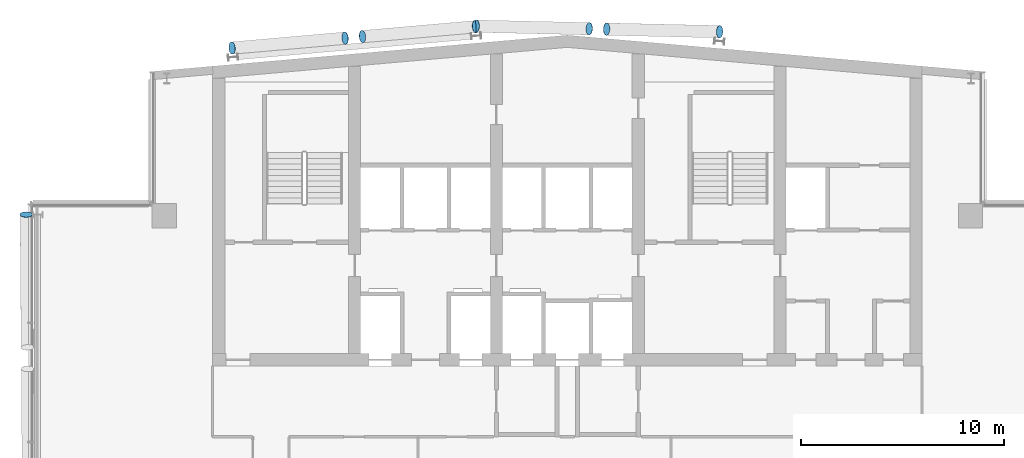
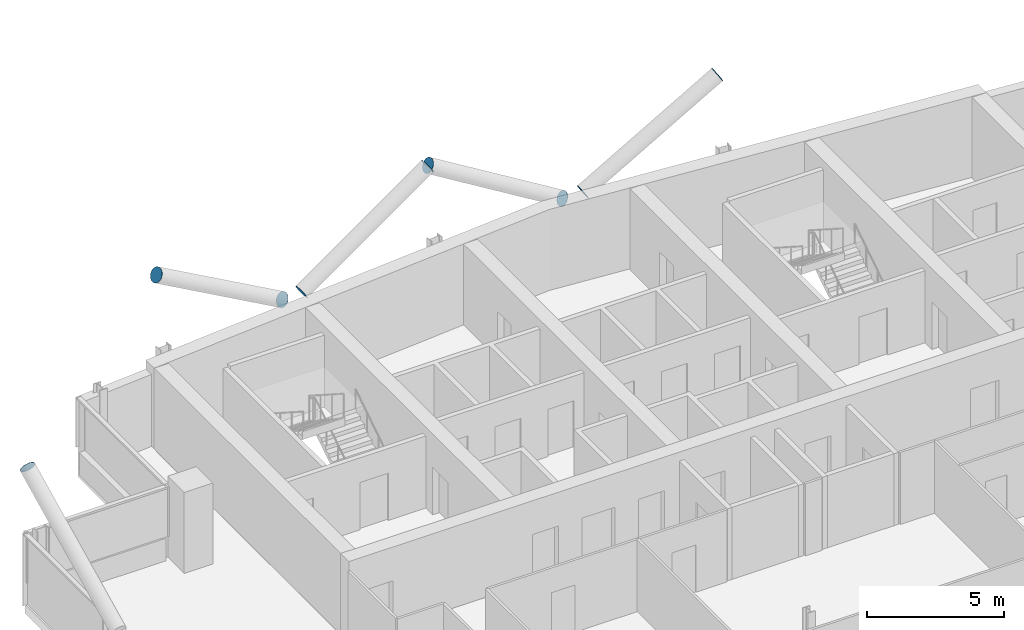
# One storey, part 23 of 27: 9 discrete accessories.
"""IFC4 building model written with IfcOpenShell, lengths in metres."""

from ifc_helpers import new_model, si_unit, direction, frame, origin, origin_2d, place, context, subcontext, project, spatial, circle, extrude, material, material_profile, profile_set, type_object, element, save


model = new_model("IFC4")

# Units and contexts
model_context = context("Model", 3, precision=1e-05, world=origin(), true_north=direction((0.0, 1.0)))
body_context = subcontext(model_context, "Body", "Model", "MODEL_VIEW")
ifc_project = project(units=[si_unit("LENGTHUNIT", "METRE"), si_unit("AREAUNIT", "SQUARE_METRE"), si_unit("VOLUMEUNIT", "CUBIC_METRE"), si_unit("PLANEANGLEUNIT", "RADIAN"), si_unit("MASSUNIT", "GRAM", prefix="KILO")], contexts=[model_context])

# Site, building, storey
site_placement = place(None, origin())
site = spatial("IfcSite", under=ifc_project, at=site_placement, CompositionType="ELEMENT")
building_placement = place(site_placement, origin())
building = spatial("IfcBuilding", under=site, at=building_placement, Name="Wharfspan Tower", CompositionType="ELEMENT")
storey_placement = place(building_placement, frame((0.0, 0.0, 243.100098)))
storey = spatial("IfcBuildingStorey", under=building, at=storey_placement, Name="L61", CompositionType="ELEMENT", Elevation=243.100098)

# Discrete accessories
ifc_material = material(Name="Steel S460NH", Category="steel")
ifc_material_profile = material_profile(ifc_material, circle(Radius=0.304932, at=origin_2d()))
ifc_profile_set = profile_set([ifc_material_profile], Name="Steel S460NH")
discrete_accessory_type = type_object("IfcDiscreteAccessoryType", Name="End plate CHS 610x25", PredefinedType="BRACKET", material=ifc_profile_set)
discrete_accessory_placement = place(storey_placement, frame((13.792969, 41.459717, 6.5), z_axis=(0.0, 0.894427, 0.447214), x_axis=(-1.0, 0.0, 0.0)))
element("IfcDiscreteAccessory", 1, at=discrete_accessory_placement, inside=storey, type_object=discrete_accessory_type, Name="End plate CHS 610x25", PredefinedType="BRACKET", context=body_context, shape_type="SweptSolid", body=[
    extrude(circle(Radius=0.304932, at=origin_2d()), origin(), (0.0, 0.0, 1.0), 0.009766),
])
for number, where, z_axis, x_axis, name in (
    (2, (30.38501, 50.247314, 3.154541), (0.855186, 0.073302, 0.513112), (-0.085402, 0.996345, 1e-06), "End plate CHS 610x25"),
    (3, (35.960693, 50.735107, 6.5), (0.855186, 0.073302, 0.513112), (-0.085402, 0.996345, 1e-06), "End plate CHS 610x25"),
    (4, (29.536133, 50.172852, 3.154541), (-0.855186, -0.073302, 0.513112), (0.085402, -0.996345, 1e-06), "End plate CHS 610x25"),
    (5, (23.960693, 49.685059, 6.5), (-0.855186, -0.073302, 0.513112), (0.085402, -0.996345, 1e-06), "End plate CHS 610x25"),
    (6, (42.434326, 50.616943, 3.154297), (0.857236, -0.024492, 0.514341), (0.028558, 0.999591, 2e-06), "End plate CHS 610x25"),
    (7, (48.010254, 50.490234, 6.5), (0.857236, -0.024492, 0.514341), (0.028558, 0.999591, 2e-06), "End plate CHS 610x25"),
    (8, (41.586426, 50.63623, 3.154297), (-0.857236, 0.024492, 0.514341), (-0.028558, -0.999591, 2e-06), "End plate CHS 610x25"),
    (9, (36.010498, 50.762939, 6.5), (-0.857236, 0.024492, 0.514341), (-0.028558, -0.999591, 2e-06), "End plate CHS 610x25"),
):
    element("IfcDiscreteAccessory", number, at=place(storey_placement, frame(where, z_axis=z_axis, x_axis=x_axis)), inside=storey, type_object=discrete_accessory_type, Name=name, PredefinedType="BRACKET", context=body_context, shape_type="SweptSolid", body=[
        extrude(circle(Radius=0.304932, at=origin_2d()), origin(), (0.0, 0.0, 1.0), 0.01001),
    ])

save(model, "model.ifc")
